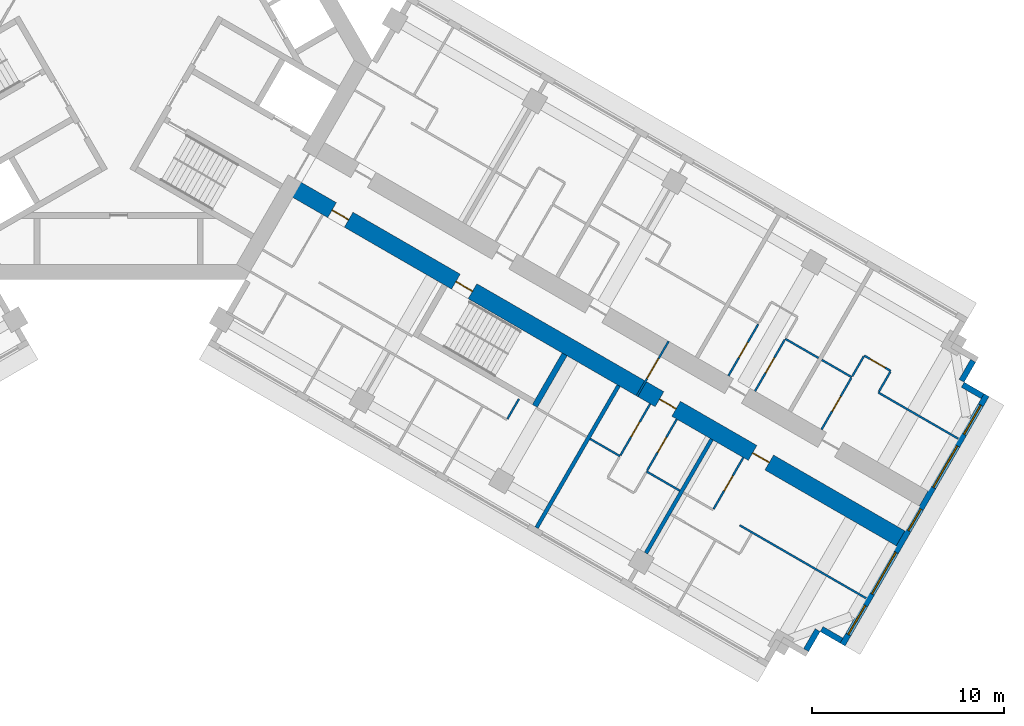
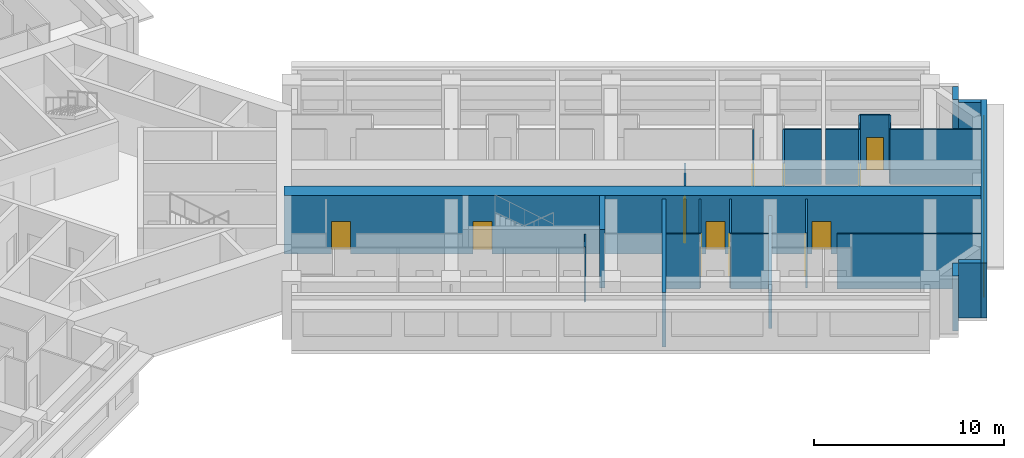
# One storey, part 11 of 16: 26 walls, 12 doors, 5 windows, 17 openings.
"""IFC4 building model written with IfcOpenShell, lengths in metres."""

import ifcopenshell
import ifcopenshell.guid

model = None  # the IFC model being written
_history = None  # IfcOwnerHistory: only IFC2X3 demands one
_inside = {}  # id of a spatial element -> (the spatial element, [elements in it])
_under = {}  # id of a project, library or spatial element -> (it, [spatial elements below it])
_declared = {}  # id of a project -> (the project, [libraries it declares])
_typed = {}  # id of a type object -> (the type object, [elements of that type])
_made_of = {}  # id of a material, layer set ... -> (it, [elements and type objects made of it])


def new_model(schema):
    """Start an empty IFC model of exactly this schema.

    Asked for "IFC4X3", IfcOpenShell would pick the latest addendum, in which some entities
    have other attributes; the version numbers below select the first issue.
    IFC2X3 requires an IfcOwnerHistory on every rooted entity: one is made here for all.
    """
    global model, _history
    if schema == "IFC4X3":
        model = ifcopenshell.file(schema_version=(4, 3, 0, 0))
    else:
        model = ifcopenshell.file(schema=schema)
    _inside.clear()
    _under.clear()
    _declared.clear()
    _typed.clear()
    _made_of.clear()
    _history = None
    if model.schema == "IFC2X3":
        org = make("IfcOrganization", Name="unknown")
        user = make(
            "IfcPersonAndOrganization",
            ThePerson=make("IfcPerson", FamilyName="unknown"),
            TheOrganization=org,
        )
        app = make(
            "IfcApplication",
            ApplicationDeveloper=org,
            Version="unknown",
            ApplicationFullName="unknown",
            ApplicationIdentifier="unknown",
        )
        _history = make(
            "IfcOwnerHistory",
            OwningUser=user,
            OwningApplication=app,
            ChangeAction="ADDED",
            CreationDate=0,
        )
    return model


def make(cls, **values):
    """One entity of the class cls with the attributes given. An attribute that is None is left unset."""
    return model.create_entity(
        cls, **{name: value for name, value in values.items() if value is not None}
    )


def rooted(cls, **values):
    """An entity with a GlobalId (a new one), such as an element, a storey or a relation."""
    return make(cls, GlobalId=ifcopenshell.guid.new(), OwnerHistory=_history, **values)


def si_unit(unit_type, name, prefix=None):
    """IfcSIUnit, for example si_unit("LENGTHUNIT", "METRE", prefix="MILLI")."""
    return make("IfcSIUnit", UnitType=unit_type, Prefix=prefix, Name=name)


def assignment(units):
    """IfcUnitAssignment: the units of a project."""
    return None if units is None else make("IfcUnitAssignment", Units=units)


def point(xyz):
    """IfcCartesianPoint."""
    return None if xyz is None else make("IfcCartesianPoint", Coordinates=xyz)


def direction(xyz):
    """IfcDirection."""
    return None if xyz is None else make("IfcDirection", DirectionRatios=xyz)


def frame(location, z_axis=None, x_axis=None):
    """IfcAxis2Placement3D, a coordinate frame: its origin and axes. An axis left out is left unset."""
    return make(
        "IfcAxis2Placement3D",
        Location=point(location),
        Axis=direction(z_axis),
        RefDirection=direction(x_axis),
    )


def frame_2d(location, x_axis=None):
    """IfcAxis2Placement2D, a coordinate frame in the plane: its origin and x axis."""
    return make(
        "IfcAxis2Placement2D", Location=point(location), RefDirection=direction(x_axis)
    )


def origin():
    """The frame at (0, 0, 0) with its axes left unset."""
    return frame((0.0, 0.0, 0.0))


def place(relative_to, where):
    """IfcLocalPlacement: puts the frame where relative to a parent placement (None: the world)."""
    return make(
        "IfcLocalPlacement", PlacementRelTo=relative_to, RelativePlacement=where
    )


def context(
    kind, dimensions, precision=None, world=None, true_north=None, identifier=None
):
    """IfcGeometricRepresentationContext, for example the 3D "Model" context."""
    return make(
        "IfcGeometricRepresentationContext",
        ContextIdentifier=identifier,
        ContextType=kind,
        CoordinateSpaceDimension=dimensions,
        Precision=precision,
        WorldCoordinateSystem=world,
        TrueNorth=true_north,
    )


def subcontext(parent, identifier, kind, view, scale=None):
    """IfcGeometricRepresentationSubContext, for example "Body" below "Model"."""
    return make(
        "IfcGeometricRepresentationSubContext",
        ContextIdentifier=identifier,
        ContextType=kind,
        ParentContext=parent,
        TargetScale=scale,
        TargetView=view,
    )


def project(units=None, contexts=None):
    """IfcProject with its units and contexts."""
    return rooted(
        "IfcProject",
        Name="project",
        RepresentationContexts=contexts,
        UnitsInContext=assignment(units),
    )


def spatial(cls, under=None, at=None, **own):
    """A site, building, storey or space (cls), placed at a placement, below another one or the project."""
    s = rooted(cls, ObjectPlacement=at, **own)
    if under is not None:
        _under.setdefault(under.id(), (under, []))[1].append(s)
    return s


def profile(cls, at=None, kind="AREA", **sizes):
    """A parametric profile (cls). Its sizes go by their IFC names, for example OverallWidth=200.0."""
    return make(cls, ProfileType=kind, Position=at, **sizes)


def rectangle(**sizes):
    """IfcRectangleProfileDef."""
    return profile("IfcRectangleProfileDef", **sizes)


def extrude(swept, where, along, depth):
    """IfcExtrudedAreaSolid: the profile swept, set in the frame where, extruded along a direction by depth."""
    return make(
        "IfcExtrudedAreaSolid",
        SweptArea=swept,
        Position=where,
        ExtrudedDirection=direction(along),
        Depth=depth,
    )


def shape(context_of_items, identifier, shape_type, items):
    """IfcShapeRepresentation: the items that make up one representation, for example the "Body"."""
    return make(
        "IfcShapeRepresentation",
        ContextOfItems=context_of_items,
        RepresentationIdentifier=identifier,
        RepresentationType=shape_type,
        Items=items,
    )


def material(Name=None, Category=None):
    """IfcMaterial."""
    return make("IfcMaterial", Name=Name, Category=Category)


def layer(
    of_material, thickness, ventilated=None, Name=None, Category=None, Priority=None
):
    """IfcMaterialLayer: one layer of a wall or slab, of a material (None: an air gap)."""
    return make(
        "IfcMaterialLayer",
        Material=of_material,
        LayerThickness=thickness,
        IsVentilated=ventilated,
        Name=Name,
        Category=Category,
        Priority=Priority,
    )


def layer_set(layers, Name=None):
    """IfcMaterialLayerSet."""
    return make("IfcMaterialLayerSet", MaterialLayers=layers, LayerSetName=Name)


def made_of(thing, what):
    """Note that an element or type object is made of a material, layer set ...; save() writes the relation."""
    if what is not None:
        _made_of.setdefault(what.id(), (what, []))[1].append(thing)
    return thing


def type_object(cls, material=None, **own):
    """A type object (cls), such as IfcWallType, which elements share."""
    return made_of(rooted(cls, **own), material)


def element(
    cls,
    number,
    at=None,
    inside=None,
    cuts=None,
    type_object=None,
    material=None,
    context=None,
    identifier="Body",
    shape_type=None,
    held_by="IfcProductDefinitionShape",
    body=None,
    shapes=None,
    **own,
):
    """One element of the class cls, such as IfcWall. Its Tag is "e" and its number.

    at: its placement. inside: the storey or other place that contains it. cuts: it is an
    opening in that element (IfcRelVoidsElement). A single representation is given by context,
    identifier, shape_type and body (its items); several are given by shapes. held_by: the class
    of the entity that holds the representations. save() writes the other relations.
    """
    e = rooted(cls, Tag="e%d" % number, ObjectPlacement=at, **own)
    if body is not None:
        shapes = [shape(context, identifier, shape_type, body)]
    if shapes is not None:
        e.Representation = make(held_by, Representations=shapes)
    if inside is not None:
        _inside.setdefault(inside.id(), (inside, []))[1].append(e)
    if cuts is not None:
        rooted(
            "IfcRelVoidsElement", RelatingBuildingElement=cuts, RelatedOpeningElement=e
        )
    if type_object is not None:
        _typed.setdefault(type_object.id(), (type_object, []))[1].append(e)
    return made_of(e, material)


def fill(opening, filler):
    """IfcRelFillsElement: the door or window that sits in an opening."""
    return rooted(
        "IfcRelFillsElement",
        RelatingOpeningElement=opening,
        RelatedBuildingElement=filler,
    )


def aggregate(whole, parts):
    """IfcRelAggregates: a whole, such as a stair, and the parts it consists of."""
    return rooted("IfcRelAggregates", RelatingObject=whole, RelatedObjects=parts)


def save(model, path):
    """Write the relations noted so far, then the file.

    IfcRelAggregates (storeys below a building ...), IfcRelContainedInSpatialStructure (elements
    in a storey), IfcRelDefinesByType, IfcRelAssociatesMaterial and IfcRelDeclares: one each for
    every whole, place, type object, material and project.
    """
    for whole, parts in _under.values():
        aggregate(whole, parts)
    for where, things in _inside.values():
        rooted(
            "IfcRelContainedInSpatialStructure",
            RelatedElements=things,
            RelatingStructure=where,
        )
    for kind, things in _typed.values():
        rooted("IfcRelDefinesByType", RelatedObjects=things, RelatingType=kind)
    for what, things in _made_of.values():
        rooted("IfcRelAssociatesMaterial", RelatedObjects=things, RelatingMaterial=what)
    for by, libraries in _declared.values():
        rooted("IfcRelDeclares", RelatingContext=by, RelatedDefinitions=libraries)
    model.write(path)


model = new_model("IFC4")

# Units and contexts
model_context = context("Model", 3, precision=1e-05, world=origin(), true_north=direction((0.0, 1.0)))
body_context = subcontext(model_context, "Body", "Model", "MODEL_VIEW")
ifc_project = project(units=[si_unit("LENGTHUNIT", "METRE"), si_unit("AREAUNIT", "SQUARE_METRE"), si_unit("VOLUMEUNIT", "CUBIC_METRE"), si_unit("PLANEANGLEUNIT", "RADIAN"), si_unit("MASSUNIT", "GRAM", prefix="KILO")], contexts=[model_context])

# Site, building, storey
site_placement = place(None, origin())
site = spatial("IfcSite", under=ifc_project, at=site_placement, CompositionType="ELEMENT")
building_placement = place(site_placement, origin())
building = spatial("IfcBuilding", under=site, at=building_placement, Name="Impinga Residences", CompositionType="ELEMENT")
storey_placement = place(building_placement, frame((0.0, 0.0, 106.0)))
storey = spatial("IfcBuildingStorey", under=building, at=storey_placement, Name="L25", CompositionType="ELEMENT", Elevation=106.0)

# Wall, openings, doors
ifc_material_1 = material(Name="Concrete C60/75", Category="concrete")
ifc_layer_1 = layer(ifc_material_1, 0.89990234375)
ifc_layer_set_1 = layer_set([ifc_layer_1], Name="Concrete C60/75")
wall_type_1 = type_object("IfcWallType", Name="BW2 corridor buttress wall, L24 to L44 900", PredefinedType="SHEAR", material=ifc_layer_set_1)
wall_1_placement = place(storey_placement, frame((8.95361328125, -6.554931640625, 0.0), z_axis=(0.0, 0.0, 1.0), x_axis=(0.866024733898, -0.500001160275, 0.0)))
wall_1 = element("IfcWall", 1, at=wall_1_placement, inside=storey, type_object=wall_type_1, Name="Corridor wall BW2 ED L25", PredefinedType="SHEAR", context=body_context, shape_type="SweptSolid", body=[
    extrude(rectangle(XDim=36.7001953125, YDim=0.89990234375, at=frame_2d((18.35009765625, 0.0))), origin(), (0.0, 0.0, 1.0), 3.75),
])
opening_1_placement = place(wall_1_placement, frame((9.949951171875, 0.0, 0.0)))
opening_1 = element("IfcOpeningElement", 2, at=opening_1_placement, cuts=wall_1, Name="Opening D5", PredefinedType="OPENING", context=body_context, shape_type="SweptSolid", body=[
    extrude(rectangle(XDim=1.0, YDim=2.10009765625, at=frame_2d((0.5, 1.050048828125))), frame((0.0, 0.4599609375, 0.0), z_axis=(0.0, -1.0, 0.0), x_axis=(1.0, 0.0, 0.0)), (0.0, 0.0, 1.0), 0.919921875),
])
opening_2_placement = place(wall_1_placement, frame((2.5, 0.0, 0.0)))
opening_2 = element("IfcOpeningElement", 3, at=opening_2_placement, cuts=wall_1, Name="Opening D1", PredefinedType="OPENING", context=body_context, shape_type="SweptSolid", body=[
    extrude(rectangle(XDim=1.0, YDim=2.10009765625, at=frame_2d((0.5, 1.050048828125))), frame((0.0, 0.4599609375, 0.0), z_axis=(0.0, -1.0, 0.0), x_axis=(1.0, 0.0, 0.0)), (0.0, 0.0, 1.0), 0.919921875),
])
opening_3_placement = place(wall_1_placement, frame((22.199951171875, 0.0, 0.0)))
opening_3 = element("IfcOpeningElement", 4, at=opening_3_placement, cuts=wall_1, Name="Opening D1", PredefinedType="OPENING", context=body_context, shape_type="SweptSolid", body=[
    extrude(rectangle(XDim=1.0, YDim=2.10009765625, at=frame_2d((0.5, 1.050048828125))), frame((0.0, 0.4599609375, 0.0), z_axis=(0.0, -1.0, 0.0), x_axis=(1.0, 0.0, 0.0)), (0.0, 0.0, 1.0), 0.919921875),
])
opening_4_placement = place(wall_1_placement, frame((27.800048828125, 0.0, 0.0)))
opening_4 = element("IfcOpeningElement", 5, at=opening_4_placement, cuts=wall_1, Name="Opening D1", PredefinedType="OPENING", context=body_context, shape_type="SweptSolid", body=[
    extrude(rectangle(XDim=1.0, YDim=2.10009765625, at=frame_2d((0.5, 1.050048828125))), frame((0.0, 0.4599609375, 0.0), z_axis=(0.0, -1.0, 0.0), x_axis=(1.0, 0.0, 0.0)), (0.0, 0.0, 1.0), 0.919921875),
])
ifc_material_2 = material(Name="Timber door set", Category="wood")
door_type_1 = type_object("IfcDoorType", Name="D1 apartment entrance door 1000x2100", OperationType="SINGLE_SWING_LEFT", PredefinedType="DOOR", material=ifc_material_2)
door_1_placement = place(opening_2_placement, origin())
door_1 = element("IfcDoor", 6, at=door_1_placement, inside=storey, type_object=door_type_1, Name="Apartment L25-EF1 entrance", OperationType="SINGLE_SWING_LEFT", OverallHeight=2.10009765625, OverallWidth=1.0, PredefinedType="DOOR", context=body_context, shape_type="SweptSolid", body=[
    extrude(rectangle(XDim=1.0, YDim=2.10009765625, at=frame_2d((0.5, 1.050048828125))), frame((0.0, 0.02490234375, 0.0), z_axis=(0.0, -1.0, 0.0), x_axis=(1.0, 0.0, 0.0)), (0.0, 0.0, 1.0), 0.050048828125),
])
fill(opening_2, door_1)
door_2_placement = place(opening_3_placement, origin())
door_2 = element("IfcDoor", 7, at=door_2_placement, inside=storey, type_object=door_type_1, Name="Apartment L25-EF2 entrance", OperationType="SINGLE_SWING_RIGHT", OverallHeight=2.10009765625, OverallWidth=1.0, PredefinedType="DOOR", context=body_context, shape_type="SweptSolid", body=[
    extrude(rectangle(XDim=1.0, YDim=2.10009765625, at=frame_2d((0.5, 1.050048828125))), frame((0.0, 0.02490234375, 0.0), z_axis=(0.0, -1.0, 0.0), x_axis=(1.0, 0.0, 0.0)), (0.0, 0.0, 1.0), 0.050048828125),
])
fill(opening_3, door_2)
door_3_placement = place(opening_4_placement, origin())
door_3 = element("IfcDoor", 8, at=door_3_placement, inside=storey, type_object=door_type_1, Name="Apartment L25-EF3 entrance", OperationType="SINGLE_SWING_RIGHT", OverallHeight=2.10009765625, OverallWidth=1.0, PredefinedType="DOOR", context=body_context, shape_type="SweptSolid", body=[
    extrude(rectangle(XDim=1.0, YDim=2.10009765625, at=frame_2d((0.5, 1.050048828125))), frame((0.0, 0.02490234375, 0.0), z_axis=(0.0, -1.0, 0.0), x_axis=(1.0, 0.0, 0.0)), (0.0, 0.0, 1.0), 0.050048828125),
])
fill(opening_4, door_3)
door_type_2 = type_object("IfcDoorType", Name="D5 stair door 1000x2100", OperationType="SINGLE_SWING_LEFT", PredefinedType="DOOR", material=ifc_material_2)
door_4_placement = place(opening_1_placement, origin())
door_4 = element("IfcDoor", 9, at=door_4_placement, inside=storey, type_object=door_type_2, Name="Wing stair door E", OperationType="SINGLE_SWING_LEFT", OverallHeight=2.10009765625, OverallWidth=1.0, PredefinedType="DOOR", context=body_context, shape_type="SweptSolid", body=[
    extrude(rectangle(XDim=1.0, YDim=2.10009765625, at=frame_2d((0.5, 1.050048828125))), frame((0.0, 0.02490234375, 0.0), z_axis=(0.0, -1.0, 0.0), x_axis=(1.0, 0.0, 0.0)), (0.0, 0.0, 1.0), 0.050048828125),
])
fill(opening_1, door_4)

# Wall, opening, door
ifc_material_3 = material(Name="Concrete blockwork", Category="masonry")
ifc_layer_2 = layer(ifc_material_3, 0.10009765625)
ifc_layer_set_2 = layer_set([ifc_layer_2], Name="CP1 core room partition, blockwork 100")
wall_type_2 = type_object("IfcWallType", Name="CP1 core room partition, blockwork 100", PredefinedType="PARTITIONING", material=ifc_layer_set_2)
wall_2_placement = place(storey_placement, frame((28.652099609375, -14.636962890625, 0.0), z_axis=(0.0, 0.0, 1.0), x_axis=(-0.499974350878, -0.866040211805, 0.0)))
wall_2 = element("IfcWall", 10, at=wall_2_placement, inside=storey, type_object=wall_type_2, Name="Core room partition, blockwork L25:E:SCR", PredefinedType="PARTITIONING", context=body_context, shape_type="SweptSolid", body=[
    extrude(rectangle(XDim=3.300048828125, YDim=0.10009765625, at=frame_2d((1.64990234375, 0.0))), origin(), (0.0, 0.0, 1.0), 3.530029296875),
])
opening_5_placement = place(wall_2_placement, frame((1.050048828125, 0.0, 0.0)))
opening_5 = element("IfcOpeningElement", 11, at=opening_5_placement, cuts=wall_2, Name="Opening D3", PredefinedType="OPENING", context=body_context, shape_type="SweptSolid", body=[
    extrude(rectangle(XDim=1.199951171875, YDim=2.10009765625, at=frame_2d((0.60009765625, 1.050048828125))), frame((0.0, 0.06005859375, 0.0), z_axis=(0.0, -1.0, 0.0), x_axis=(1.0, 0.0, 0.0)), (0.0, 0.0, 1.0), 0.1201171875),
])
door_type_3 = type_object("IfcDoorType", Name="D3 room door, leaf and a half 1200x2100", OperationType="DOUBLE_SWING_LEFT", PredefinedType="DOOR", material=ifc_material_2)
door_5_placement = place(opening_5_placement, origin())
door_5 = element("IfcDoor", 12, at=door_5_placement, inside=storey, type_object=door_type_3, Name="Corridor smoke door E", OperationType="DOUBLE_SWING_LEFT", OverallHeight=2.10009765625, OverallWidth=1.199951171875, PredefinedType="DOOR", context=body_context, shape_type="SweptSolid", body=[
    extrude(rectangle(XDim=1.199951171875, YDim=2.10009765625, at=frame_2d((0.60009765625, 1.050048828125))), frame((0.0, 0.02490234375, 0.0), z_axis=(0.0, -1.0, 0.0), x_axis=(1.0, 0.0, 0.0)), (0.0, 0.0, 1.0), 0.050048828125),
])
fill(opening_5, door_5)

# Walls
ifc_material_4 = material(Name="Terracotta rainscreen on blockwork", Category="masonry")
ifc_layer_3 = layer(ifc_material_4, 0.300048828125)
ifc_layer_set_3 = layer_set([ifc_layer_3], Name="EW1 external wall, terracotta rainscreen on blockwork 300")
wall_type_3 = type_object("IfcWallType", Name="EW1 external wall, terracotta rainscreen on blockwork 300", PredefinedType="SOLIDWALL", material=ifc_layer_set_3)
wall_3_placement = place(storey_placement, frame((44.517578125, -15.65625, 0.0), z_axis=(0.0, 0.0, 1.0), x_axis=(-0.500033551112, -0.866006032174, 0.0)))
element("IfcWall", 13, at=wall_3_placement, inside=storey, type_object=wall_type_3, Name="External wall EW1 L25", PredefinedType="SOLIDWALL", context=body_context, shape_type="SweptSolid", body=[
    extrude(rectangle(XDim=1.2001953125, YDim=0.300048828125, at=frame_2d((0.60009765625, 0.0))), origin(), (0.0, 0.0, 1.0), 3.530029296875),
])
wall_4_placement = place(storey_placement, frame((43.976806640625, -16.903076171875, 0.0), z_axis=(0.0, 0.0, 1.0), x_axis=(0.866059708757, -0.499940577336, 0.0)))
element("IfcWall", 14, at=wall_4_placement, inside=storey, type_object=wall_type_3, Name="External wall EW1 L25", PredefinedType="SOLIDWALL", context=body_context, shape_type="SweptSolid", body=[
    extrude(rectangle(XDim=1.195068359375, YDim=0.300048828125, at=frame_2d((0.59765625, 0.0))), origin(), (0.0, 0.0, 1.0), 3.530029296875),
])

# Wall, openings, windows
wall_5_placement = place(storey_placement, frame((45.216552734375, -17.445556640625, 0.0), z_axis=(0.0, 0.0, 1.0), x_axis=(-0.499997186618, -0.866027028085, 0.0)))
wall_5 = element("IfcWall", 15, at=wall_5_placement, inside=storey, type_object=wall_type_3, Name="External wall EW1 L25", PredefinedType="SOLIDWALL", context=body_context, shape_type="SweptSolid", body=[
    extrude(rectangle(XDim=15.0, YDim=0.300048828125, at=frame_2d((7.5, 0.0))), origin(), (0.0, 0.0, 1.0), 3.530029296875),
])
opening_6_placement = place(wall_5_placement, frame((0.60009765625, 0.0, 0.89990234375)))
opening_6 = element("IfcOpeningElement", 16, at=opening_6_placement, cuts=wall_5, Name="Opening W1", PredefinedType="OPENING", context=body_context, shape_type="SweptSolid", body=[
    extrude(rectangle(XDim=1.75, YDim=2.050048828125, at=frame_2d((0.875, 1.02490234375))), frame((0.0, 0.159912109375, 0.0), z_axis=(0.0, -1.0, 0.0), x_axis=(1.0, 0.0, 0.0)), (0.0, 0.0, 1.0), 0.320068359375),
])
opening_7_placement = place(wall_5_placement, frame((3.050048828125, 0.0, 0.89990234375)))
opening_7 = element("IfcOpeningElement", 17, at=opening_7_placement, cuts=wall_5, Name="Opening W2", PredefinedType="OPENING", context=body_context, shape_type="SweptSolid", body=[
    extrude(rectangle(XDim=2.5, YDim=2.050048828125, at=frame_2d((1.25, 1.02490234375))), frame((0.0, 0.159912109375, 0.0), z_axis=(0.0, -1.0, 0.0), x_axis=(1.0, 0.0, 0.0)), (0.0, 0.0, 1.0), 0.320068359375),
])
opening_8_placement = place(wall_5_placement, frame((6.85009765625, 0.0, 0.89990234375)))
opening_8 = element("IfcOpeningElement", 18, at=opening_8_placement, cuts=wall_5, Name="Opening WE1", PredefinedType="OPENING", context=body_context, shape_type="SweptSolid", body=[
    extrude(rectangle(XDim=1.300048828125, YDim=2.050048828125, at=frame_2d((0.64990234375, 1.02490234375))), frame((0.0, 0.159912109375, 0.0), z_axis=(0.0, -1.0, 0.0), x_axis=(1.0, 0.0, 0.0)), (0.0, 0.0, 1.0), 0.320068359375),
])
opening_9_placement = place(wall_5_placement, frame((9.449951171875, 0.0, 0.89990234375)))
opening_9 = element("IfcOpeningElement", 19, at=opening_9_placement, cuts=wall_5, Name="Opening W2", PredefinedType="OPENING", context=body_context, shape_type="SweptSolid", body=[
    extrude(rectangle(XDim=2.5, YDim=2.050048828125, at=frame_2d((1.25, 1.02490234375))), frame((0.0, 0.159912109375, 0.0), z_axis=(0.0, -1.0, 0.0), x_axis=(1.0, 0.0, 0.0)), (0.0, 0.0, 1.0), 0.320068359375),
])
opening_10_placement = place(wall_5_placement, frame((12.64990234375, 0.0, 0.89990234375)))
opening_10 = element("IfcOpeningElement", 20, at=opening_10_placement, cuts=wall_5, Name="Opening W1", PredefinedType="OPENING", context=body_context, shape_type="SweptSolid", body=[
    extrude(rectangle(XDim=1.75, YDim=2.050048828125, at=frame_2d((0.875, 1.02490234375))), frame((0.0, 0.159912109375, 0.0), z_axis=(0.0, -1.0, 0.0), x_axis=(1.0, 0.0, 0.0)), (0.0, 0.0, 1.0), 0.320068359375),
])
ifc_material_5 = material(Name="Aluminium window, clear double glazing", Category="aluminium")
window_type_1 = type_object("IfcWindowType", Name="W1 ribbon window 1750x2050", PartitioningType="SINGLE_PANEL", PredefinedType="WINDOW", material=ifc_material_5)
window_1_placement = place(opening_6_placement, origin())
window_1 = element("IfcWindow", 21, at=window_1_placement, inside=storey, type_object=window_type_1, Name="Window L25", OverallHeight=2.050048828125, OverallWidth=1.75, PartitioningType="SINGLE_PANEL", PredefinedType="WINDOW", context=body_context, shape_type="SweptSolid", body=[
    extrude(rectangle(XDim=1.75, YDim=2.050048828125, at=frame_2d((0.875, 1.02490234375))), frame((0.0, 0.030029296875, 0.0), z_axis=(0.0, -1.0, 0.0), x_axis=(1.0, 0.0, 0.0)), (0.0, 0.0, 1.0), 0.06005859375),
])
fill(opening_6, window_1)
window_2_placement = place(opening_10_placement, origin())
window_2 = element("IfcWindow", 22, at=window_2_placement, inside=storey, type_object=window_type_1, Name="Window L25", OverallHeight=2.050048828125, OverallWidth=1.75, PartitioningType="SINGLE_PANEL", PredefinedType="WINDOW", context=body_context, shape_type="SweptSolid", body=[
    extrude(rectangle(XDim=1.75, YDim=2.050048828125, at=frame_2d((0.875, 1.02490234375))), frame((0.0, 0.030029296875, 0.0), z_axis=(0.0, -1.0, 0.0), x_axis=(1.0, 0.0, 0.0)), (0.0, 0.0, 1.0), 0.06005859375),
])
fill(opening_10, window_2)
window_type_2 = type_object("IfcWindowType", Name="W2 ribbon window 2500x2050", PartitioningType="SINGLE_PANEL", PredefinedType="WINDOW", material=ifc_material_5)
window_3_placement = place(opening_7_placement, origin())
window_3 = element("IfcWindow", 23, at=window_3_placement, inside=storey, type_object=window_type_2, Name="Window L25", OverallHeight=2.050048828125, OverallWidth=2.5, PartitioningType="SINGLE_PANEL", PredefinedType="WINDOW", context=body_context, shape_type="SweptSolid", body=[
    extrude(rectangle(XDim=2.5, YDim=2.050048828125, at=frame_2d((1.25, 1.02490234375))), frame((0.0, 0.030029296875, 0.0), z_axis=(0.0, -1.0, 0.0), x_axis=(1.0, 0.0, 0.0)), (0.0, 0.0, 1.0), 0.06005859375),
])
fill(opening_7, window_3)
window_4_placement = place(opening_9_placement, origin())
window_4 = element("IfcWindow", 24, at=window_4_placement, inside=storey, type_object=window_type_2, Name="Window L25", OverallHeight=2.050048828125, OverallWidth=2.5, PartitioningType="SINGLE_PANEL", PredefinedType="WINDOW", context=body_context, shape_type="SweptSolid", body=[
    extrude(rectangle(XDim=2.5, YDim=2.050048828125, at=frame_2d((1.25, 1.02490234375))), frame((0.0, 0.030029296875, 0.0), z_axis=(0.0, -1.0, 0.0), x_axis=(1.0, 0.0, 0.0)), (0.0, 0.0, 1.0), 0.06005859375),
])
fill(opening_9, window_4)
window_type_3 = type_object("IfcWindowType", Name="WE1 corridor window 1300x2050", PartitioningType="SINGLE_PANEL", PredefinedType="WINDOW", material=ifc_material_5)
window_5_placement = place(opening_8_placement, origin())
window_5 = element("IfcWindow", 25, at=window_5_placement, inside=storey, type_object=window_type_3, Name="Window L25", OverallHeight=2.050048828125, OverallWidth=1.300048828125, PartitioningType="SINGLE_PANEL", PredefinedType="WINDOW", context=body_context, shape_type="SweptSolid", body=[
    extrude(rectangle(XDim=1.300048828125, YDim=2.050048828125, at=frame_2d((0.64990234375, 1.02490234375))), frame((0.0, 0.030029296875, 0.0), z_axis=(0.0, -1.0, 0.0), x_axis=(1.0, 0.0, 0.0)), (0.0, 0.0, 1.0), 0.06005859375),
])
fill(opening_8, window_5)

# Walls
wall_6_placement = place(storey_placement, frame((37.66162109375, -30.23095703125, 0.0), z_axis=(0.0, 0.0, 1.0), x_axis=(-0.866059708757, 0.499940577336, 0.0)))
element("IfcWall", 26, at=wall_6_placement, inside=storey, type_object=wall_type_3, Name="External wall EW1 L25", PredefinedType="SOLIDWALL", context=body_context, shape_type="SweptSolid", body=[
    extrude(rectangle(XDim=1.195068359375, YDim=0.300048828125, at=frame_2d((0.59765625, 0.0))), origin(), (0.0, 0.0, 1.0), 3.530029296875),
])
wall_7_placement = place(storey_placement, frame((36.41748046875, -29.68603515625, 0.0), z_axis=(0.0, 0.0, 1.0), x_axis=(-0.499969057507, -0.866043267704, 0.0)))
element("IfcWall", 27, at=wall_7_placement, inside=storey, type_object=wall_type_3, Name="External wall EW1 L25", PredefinedType="SOLIDWALL", context=body_context, shape_type="SweptSolid", body=[
    extrude(rectangle(XDim=1.19970703125, YDim=0.300048828125, at=frame_2d((0.599853515625, 0.0))), origin(), (0.0, 0.0, 1.0), 3.530029296875),
])
ifc_material_6 = material(Name="Gypsum board on steel studs", Category="steel")
ifc_layer_4 = layer(ifc_material_6, 0.10009765625)
ifc_layer_set_4 = layer_set([ifc_layer_4], Name="Gypsum board on steel studs")
wall_type_4 = type_object("IfcWallType", Name="IP1 partition 100", PredefinedType="PARTITIONING", material=ifc_layer_set_4)
wall_8_placement = place(storey_placement, frame((34.72998046875, -14.5087890625, 0.0), z_axis=(0.0, 0.0, 1.0), x_axis=(0.866041268327, -0.499972520799, 0.0)))
element("IfcWall", 28, at=wall_8_placement, inside=storey, type_object=wall_type_4, Name="Partition L25-EA4:DIV1", PredefinedType="PARTITIONING", context=body_context, shape_type="SweptSolid", body=[
    extrude(rectangle(XDim=2.0, YDim=0.10009765625, at=frame_2d((1.0, 0.0))), origin(), (0.0, 0.0, 1.0), 3.530029296875),
])

# Wall, opening, door
wall_9_placement = place(storey_placement, frame((31.76953125, -16.436767578125, 0.0), z_axis=(0.0, 0.0, 1.0), x_axis=(0.499967891604, 0.866043940782, 0.0)))
wall_9 = element("IfcWall", 29, at=wall_9_placement, inside=storey, type_object=wall_type_4, Name="Partition L25-EA4:IB1", PredefinedType="PARTITIONING", context=body_context, shape_type="SweptSolid", body=[
    extrude(rectangle(XDim=3.099853515625, YDim=0.10009765625, at=frame_2d((1.5498046875, 0.0))), origin(), (0.0, 0.0, 1.0), 3.530029296875),
])
opening_11_placement = place(wall_9_placement, frame((1.10009765625, 0.0, 0.0)))
opening_11 = element("IfcOpeningElement", 30, at=opening_11_placement, cuts=wall_9, Name="Opening D2", PredefinedType="OPENING", context=body_context, shape_type="SweptSolid", body=[
    extrude(rectangle(XDim=0.89990234375, YDim=2.10009765625, at=frame_2d((0.449951171875, 1.050048828125))), frame((0.0, 0.06005859375, 0.0), z_axis=(0.0, -1.0, 0.0), x_axis=(1.0, 0.0, 0.0)), (0.0, 0.0, 1.0), 0.1201171875),
])
door_type_4 = type_object("IfcDoorType", Name="D2 internal door 900x2100", OperationType="SINGLE_SWING_LEFT", PredefinedType="DOOR", material=ifc_material_2)
door_6_placement = place(opening_11_placement, origin())
door_6 = element("IfcDoor", 31, at=door_6_placement, inside=storey, type_object=door_type_4, Name="Apartment L25-EA4 bathroom door", OperationType="SINGLE_SWING_LEFT", OverallHeight=2.10009765625, OverallWidth=0.89990234375, PredefinedType="DOOR", context=body_context, shape_type="SweptSolid", body=[
    extrude(rectangle(XDim=0.89990234375, YDim=2.10009765625, at=frame_2d((0.449951171875, 1.050048828125))), frame((0.0, 0.02490234375, 0.0), z_axis=(0.0, -1.0, 0.0), x_axis=(1.0, 0.0, 0.0)), (0.0, 0.0, 1.0), 0.050048828125),
])
fill(opening_11, door_6)

wall_10_placement = place(storey_placement, frame((33.155029296875, -17.23681640625, 0.0), z_axis=(0.0, 0.0, 1.0), x_axis=(0.500026960575, 0.86600983753, 0.0)))
wall_10 = element("IfcWall", 32, at=wall_10_placement, inside=storey, type_object=wall_type_4, Name="Partition L25-EA4:IB2", PredefinedType="PARTITIONING", context=body_context, shape_type="SweptSolid", body=[
    extrude(rectangle(XDim=3.099853515625, YDim=0.10009765625, at=frame_2d((1.5498046875, 0.0))), origin(), (0.0, 0.0, 1.0), 3.530029296875),
])
opening_12_placement = place(wall_10_placement, frame((1.10009765625, 0.0, 0.0)))
opening_12 = element("IfcOpeningElement", 33, at=opening_12_placement, cuts=wall_10, Name="Opening D2", PredefinedType="OPENING", context=body_context, shape_type="SweptSolid", body=[
    extrude(rectangle(XDim=0.89990234375, YDim=2.10009765625, at=frame_2d((0.449951171875, 1.050048828125))), frame((0.0, 0.06005859375, 0.0), z_axis=(0.0, -1.0, 0.0), x_axis=(1.0, 0.0, 0.0)), (0.0, 0.0, 1.0), 0.1201171875),
])
door_7_placement = place(opening_12_placement, origin())
door_7 = element("IfcDoor", 34, at=door_7_placement, inside=storey, type_object=door_type_4, Name="Apartment L25-EA4 WC door", OperationType="SINGLE_SWING_LEFT", OverallHeight=2.10009765625, OverallWidth=0.89990234375, PredefinedType="DOOR", context=body_context, shape_type="SweptSolid", body=[
    extrude(rectangle(XDim=0.89990234375, YDim=2.10009765625, at=frame_2d((0.449951171875, 1.050048828125))), frame((0.0, 0.02490234375, 0.0), z_axis=(0.0, -1.0, 0.0), x_axis=(1.0, 0.0, 0.0)), (0.0, 0.0, 1.0), 0.050048828125),
])
fill(opening_12, door_7)

# Walls
wall_11_placement = place(storey_placement, frame((36.63525390625, -15.60888671875, 0.0), z_axis=(0.0, 0.0, 1.0), x_axis=(0.866047807691, -0.499961193289, 0.0)))
element("IfcWall", 35, at=wall_11_placement, inside=storey, type_object=wall_type_4, Name="Partition L25-EA5:DIV0", PredefinedType="PARTITIONING", context=body_context, shape_type="SweptSolid", body=[
    extrude(rectangle(XDim=1.800048828125, YDim=0.10009765625, at=frame_2d((0.89990234375, 0.0))), origin(), (0.0, 0.0, 1.0), 3.530029296875),
])
wall_12_placement = place(storey_placement, frame((39.579833984375, -17.308837890625, 0.0), z_axis=(0.0, 0.0, 1.0), x_axis=(0.866037363387, -0.499979284789, 0.0)))
element("IfcWall", 36, at=wall_12_placement, inside=storey, type_object=wall_type_4, Name="Partition L25-EA5:DIV1", PredefinedType="PARTITIONING", context=body_context, shape_type="SweptSolid", body=[
    extrude(rectangle(XDim=4.800048828125, YDim=0.10009765625, at=frame_2d((2.39990234375, 0.0))), origin(), (0.0, 0.0, 1.0), 3.530029296875),
])

# Wall, opening, door
wall_13_placement = place(storey_placement, frame((38.84423828125, -15.383056640625, 0.0), z_axis=(0.0, 0.0, 1.0), x_axis=(0.865989903783, -0.500061482766, 0.0)))
wall_13 = element("IfcWall", 37, at=wall_13_placement, inside=storey, type_object=wall_type_4, Name="Partition L25-EA5:STRIP", PredefinedType="PARTITIONING", context=body_context, shape_type="SweptSolid", body=[
    extrude(rectangle(XDim=1.599853515625, YDim=0.10009765625, at=frame_2d((0.7998046875, 0.0))), origin(), (0.0, 0.0, 1.0), 3.530029296875),
])
opening_13_placement = place(wall_13_placement, frame((0.35009765625, 0.0, 0.0)))
opening_13 = element("IfcOpeningElement", 38, at=opening_13_placement, cuts=wall_13, Name="Opening D2", PredefinedType="OPENING", context=body_context, shape_type="SweptSolid", body=[
    extrude(rectangle(XDim=0.89990234375, YDim=2.10009765625, at=frame_2d((0.449951171875, 1.050048828125))), frame((0.0, 0.06005859375, 0.0), z_axis=(0.0, -1.0, 0.0), x_axis=(1.0, 0.0, 0.0)), (0.0, 0.0, 1.0), 0.1201171875),
])
door_8_placement = place(opening_13_placement, origin())
door_8 = element("IfcDoor", 39, at=door_8_placement, inside=storey, type_object=door_type_4, Name="Apartment L25-EA5 room door", OperationType="SINGLE_SWING_LEFT", OverallHeight=2.10009765625, OverallWidth=0.89990234375, PredefinedType="DOOR", context=body_context, shape_type="SweptSolid", body=[
    extrude(rectangle(XDim=0.89990234375, YDim=2.10009765625, at=frame_2d((0.449951171875, 1.050048828125))), frame((0.0, 0.02490234375, 0.0), z_axis=(0.0, -1.0, 0.0), x_axis=(1.0, 0.0, 0.0)), (0.0, 0.0, 1.0), 0.050048828125),
])
fill(opening_13, door_8)

# Walls
wall_14_placement = place(storey_placement, frame((38.21923828125, -16.465576171875, 0.0), z_axis=(0.0, 0.0, 1.0), x_axis=(0.499880961361, 0.866094119867, 0.0)))
element("IfcWall", 40, at=wall_14_placement, inside=storey, type_object=wall_type_4, Name="Partition L25-EA5:SE0", PredefinedType="PARTITIONING", context=body_context, shape_type="SweptSolid", body=[
    extrude(rectangle(XDim=1.199951171875, YDim=0.10009765625, at=frame_2d((0.60009765625, 0.0))), origin(), (0.0, 0.0, 1.0), 3.530029296875),
])
wall_15_placement = place(storey_placement, frame((39.604736328125, -17.265625, 0.0), z_axis=(0.0, 0.0, 1.0), x_axis=(0.500033551112, 0.866006032174, 0.0)))
element("IfcWall", 41, at=wall_15_placement, inside=storey, type_object=wall_type_4, Name="Partition L25-EA5:SE1", PredefinedType="PARTITIONING", context=body_context, shape_type="SweptSolid", body=[
    extrude(rectangle(XDim=1.2001953125, YDim=0.10009765625, at=frame_2d((0.60009765625, 0.0))), origin(), (0.0, 0.0, 1.0), 3.530029296875),
])

# Wall, opening, door
wall_16_placement = place(storey_placement, frame((36.619140625, -19.23681640625, 0.0), z_axis=(0.0, 0.0, 1.0), x_axis=(0.500026960575, 0.86600983753, 0.0)))
wall_16 = element("IfcWall", 42, at=wall_16_placement, inside=storey, type_object=wall_type_4, Name="Partition L25-EA5:IB1", PredefinedType="PARTITIONING", context=body_context, shape_type="SweptSolid", body=[
    extrude(rectangle(XDim=3.099853515625, YDim=0.10009765625, at=frame_2d((1.5498046875, 0.0))), origin(), (0.0, 0.0, 1.0), 3.530029296875),
])
opening_14_placement = place(wall_16_placement, frame((1.10009765625, 0.0, 0.0)))
opening_14 = element("IfcOpeningElement", 43, at=opening_14_placement, cuts=wall_16, Name="Opening D2", PredefinedType="OPENING", context=body_context, shape_type="SweptSolid", body=[
    extrude(rectangle(XDim=0.89990234375, YDim=2.10009765625, at=frame_2d((0.449951171875, 1.050048828125))), frame((0.0, 0.06005859375, 0.0), z_axis=(0.0, -1.0, 0.0), x_axis=(1.0, 0.0, 0.0)), (0.0, 0.0, 1.0), 0.1201171875),
])
door_9_placement = place(opening_14_placement, origin())
door_9 = element("IfcDoor", 44, at=door_9_placement, inside=storey, type_object=door_type_4, Name="Apartment L25-EA5 bathroom door", OperationType="SINGLE_SWING_LEFT", OverallHeight=2.10009765625, OverallWidth=0.89990234375, PredefinedType="DOOR", context=body_context, shape_type="SweptSolid", body=[
    extrude(rectangle(XDim=0.89990234375, YDim=2.10009765625, at=frame_2d((0.449951171875, 1.050048828125))), frame((0.0, 0.02490234375, 0.0), z_axis=(0.0, -1.0, 0.0), x_axis=(1.0, 0.0, 0.0)), (0.0, 0.0, 1.0), 0.050048828125),
])
fill(opening_14, door_9)

# Walls
wall_17_placement = place(storey_placement, frame((20.85498046875, -17.640869140625, 0.0), z_axis=(0.0, 0.0, 1.0), x_axis=(-0.499880961361, -0.866094119867, 0.0)))
element("IfcWall", 45, at=wall_17_placement, inside=storey, type_object=wall_type_4, Name="Partition L25-EF1:SE1", PredefinedType="PARTITIONING", context=body_context, shape_type="SweptSolid", body=[
    extrude(rectangle(XDim=1.199951171875, YDim=0.10009765625, at=frame_2d((0.60009765625, 0.0))), origin(), (0.0, 0.0, 1.0), 3.530029296875),
])
wall_18_placement = place(storey_placement, frame((24.560791015625, -19.72265625, 0.0), z_axis=(0.0, 0.0, 1.0), x_axis=(0.865989075817, -0.500062916607, 0.0)))
element("IfcWall", 46, at=wall_18_placement, inside=storey, type_object=wall_type_4, Name="Partition L25-EF2:DIV0", PredefinedType="PARTITIONING", context=body_context, shape_type="SweptSolid", body=[
    extrude(rectangle(XDim=1.800048828125, YDim=0.10009765625, at=frame_2d((0.89990234375, 0.0))), origin(), (0.0, 0.0, 1.0), 3.530029296875),
])
wall_19_placement = place(storey_placement, frame((27.505126953125, -21.422607421875, 0.0), z_axis=(0.0, 0.0, 1.0), x_axis=(0.866041268327, -0.499972520799, 0.0)))
element("IfcWall", 47, at=wall_19_placement, inside=storey, type_object=wall_type_4, Name="Partition L25-EF2:DIV1", PredefinedType="PARTITIONING", context=body_context, shape_type="SweptSolid", body=[
    extrude(rectangle(XDim=2.0, YDim=0.10009765625, at=frame_2d((1.0, 0.0))), origin(), (0.0, 0.0, 1.0), 3.530029296875),
])

# Wall, opening, door
wall_20_placement = place(storey_placement, frame((27.694580078125, -17.894775390625, 0.0), z_axis=(0.0, 0.0, 1.0), x_axis=(-0.500026960575, -0.86600983753, 0.0)))
wall_20 = element("IfcWall", 48, at=wall_20_placement, inside=storey, type_object=wall_type_4, Name="Partition L25-EF2:IB1", PredefinedType="PARTITIONING", context=body_context, shape_type="SweptSolid", body=[
    extrude(rectangle(XDim=3.099853515625, YDim=0.10009765625, at=frame_2d((1.5498046875, 0.0))), origin(), (0.0, 0.0, 1.0), 3.530029296875),
])
opening_15_placement = place(wall_20_placement, frame((1.10009765625, 0.0, 0.0)))
opening_15 = element("IfcOpeningElement", 49, at=opening_15_placement, cuts=wall_20, Name="Opening D2", PredefinedType="OPENING", context=body_context, shape_type="SweptSolid", body=[
    extrude(rectangle(XDim=0.89990234375, YDim=2.10009765625, at=frame_2d((0.449951171875, 1.050048828125))), frame((0.0, 0.06005859375, 0.0), z_axis=(0.0, -1.0, 0.0), x_axis=(1.0, 0.0, 0.0)), (0.0, 0.0, 1.0), 0.1201171875),
])
door_10_placement = place(opening_15_placement, origin())
door_10 = element("IfcDoor", 50, at=door_10_placement, inside=storey, type_object=door_type_4, Name="Apartment L25-EF2 bathroom door", OperationType="SINGLE_SWING_LEFT", OverallHeight=2.10009765625, OverallWidth=0.89990234375, PredefinedType="DOOR", context=body_context, shape_type="SweptSolid", body=[
    extrude(rectangle(XDim=0.89990234375, YDim=2.10009765625, at=frame_2d((0.449951171875, 1.050048828125))), frame((0.0, 0.02490234375, 0.0), z_axis=(0.0, -1.0, 0.0), x_axis=(1.0, 0.0, 0.0)), (0.0, 0.0, 1.0), 0.050048828125),
])
fill(opening_15, door_10)

wall_21_placement = place(storey_placement, frame((29.080078125, -18.69482421875, 0.0), z_axis=(0.0, 0.0, 1.0), x_axis=(-0.499967891604, -0.866043940782, 0.0)))
wall_21 = element("IfcWall", 51, at=wall_21_placement, inside=storey, type_object=wall_type_4, Name="Partition L25-EF2:IB2", PredefinedType="PARTITIONING", context=body_context, shape_type="SweptSolid", body=[
    extrude(rectangle(XDim=3.099853515625, YDim=0.10009765625, at=frame_2d((1.5498046875, 0.0))), origin(), (0.0, 0.0, 1.0), 3.530029296875),
])
opening_16_placement = place(wall_21_placement, frame((1.10009765625, 0.0, 0.0)))
opening_16 = element("IfcOpeningElement", 52, at=opening_16_placement, cuts=wall_21, Name="Opening D2", PredefinedType="OPENING", context=body_context, shape_type="SweptSolid", body=[
    extrude(rectangle(XDim=0.89990234375, YDim=2.10009765625, at=frame_2d((0.449951171875, 1.050048828125))), frame((0.0, 0.06005859375, 0.0), z_axis=(0.0, -1.0, 0.0), x_axis=(1.0, 0.0, 0.0)), (0.0, 0.0, 1.0), 0.1201171875),
])
door_11_placement = place(opening_16_placement, origin())
door_11 = element("IfcDoor", 53, at=door_11_placement, inside=storey, type_object=door_type_4, Name="Apartment L25-EF2 WC door", OperationType="SINGLE_SWING_LEFT", OverallHeight=2.10009765625, OverallWidth=0.89990234375, PredefinedType="DOOR", context=body_context, shape_type="SweptSolid", body=[
    extrude(rectangle(XDim=0.89990234375, YDim=2.10009765625, at=frame_2d((0.449951171875, 1.050048828125))), frame((0.0, 0.02490234375, 0.0), z_axis=(0.0, -1.0, 0.0), x_axis=(1.0, 0.0, 0.0)), (0.0, 0.0, 1.0), 0.050048828125),
])
fill(opening_16, door_11)

# Wall
wall_22_placement = place(storey_placement, frame((32.35498046875, -24.22265625, 0.0), z_axis=(0.0, 0.0, 1.0), x_axis=(0.866022425744, -0.500005158081, 0.0)))
element("IfcWall", 54, at=wall_22_placement, inside=storey, type_object=wall_type_4, Name="Partition L25-EF3:DIV1", PredefinedType="PARTITIONING", context=body_context, shape_type="SweptSolid", body=[
    extrude(rectangle(XDim=7.60009765625, YDim=0.10009765625, at=frame_2d((3.800048828125, 0.0))), origin(), (0.0, 0.0, 1.0), 3.530029296875),
])

# Wall, opening, door
wall_23_placement = place(storey_placement, frame((32.544189453125, -20.69482421875, 0.0), z_axis=(0.0, 0.0, 1.0), x_axis=(-0.499967891604, -0.866043940782, 0.0)))
wall_23 = element("IfcWall", 55, at=wall_23_placement, inside=storey, type_object=wall_type_4, Name="Partition L25-EF3:IB1", PredefinedType="PARTITIONING", context=body_context, shape_type="SweptSolid", body=[
    extrude(rectangle(XDim=3.099853515625, YDim=0.10009765625, at=frame_2d((1.5498046875, 0.0))), origin(), (0.0, 0.0, 1.0), 3.530029296875),
])
opening_17_placement = place(wall_23_placement, frame((1.10009765625, 0.0, 0.0)))
opening_17 = element("IfcOpeningElement", 56, at=opening_17_placement, cuts=wall_23, Name="Opening D2", PredefinedType="OPENING", context=body_context, shape_type="SweptSolid", body=[
    extrude(rectangle(XDim=0.89990234375, YDim=2.10009765625, at=frame_2d((0.449951171875, 1.050048828125))), frame((0.0, 0.06005859375, 0.0), z_axis=(0.0, -1.0, 0.0), x_axis=(1.0, 0.0, 0.0)), (0.0, 0.0, 1.0), 0.1201171875),
])
door_12_placement = place(opening_17_placement, origin())
door_12 = element("IfcDoor", 57, at=door_12_placement, inside=storey, type_object=door_type_4, Name="Apartment L25-EF3 bathroom door", OperationType="SINGLE_SWING_LEFT", OverallHeight=2.10009765625, OverallWidth=0.89990234375, PredefinedType="DOOR", context=body_context, shape_type="SweptSolid", body=[
    extrude(rectangle(XDim=0.89990234375, YDim=2.10009765625, at=frame_2d((0.449951171875, 1.050048828125))), frame((0.0, 0.02490234375, 0.0), z_axis=(0.0, -1.0, 0.0), x_axis=(1.0, 0.0, 0.0)), (0.0, 0.0, 1.0), 0.050048828125),
])
fill(opening_17, door_12)

# Walls
ifc_layer_5 = layer(ifc_material_3, 0.199951171875)
ifc_layer_set_5 = layer_set([ifc_layer_5], Name="PW1 party wall between apartments 200")
wall_type_5 = type_object("IfcWallType", Name="PW1 party wall between apartments 200", PredefinedType="SOLIDWALL", material=ifc_layer_set_5)
wall_24_placement = place(storey_placement, frame((26.049072265625, -16.94482421875, 0.0), z_axis=(0.0, 0.0, 1.0), x_axis=(-0.500002592159, -0.866023907196, 0.0)))
element("IfcWall", 58, at=wall_24_placement, inside=storey, type_object=wall_type_5, Name="Party wall between apartments L25-EF1:PARTY", PredefinedType="SOLIDWALL", context=body_context, shape_type="SweptSolid", body=[
    extrude(rectangle(XDim=8.5498046875, YDim=0.199951171875, at=frame_2d((4.27490234375, 0.0))), origin(), (0.0, 0.0, 1.0), 3.530029296875),
])
wall_25_placement = place(storey_placement, frame((30.89892578125, -19.74462890625, 0.0), z_axis=(0.0, 0.0, 1.0), x_axis=(-0.499999086063, -0.866025931445, 0.0)))
element("IfcWall", 59, at=wall_25_placement, inside=storey, type_object=wall_type_5, Name="Party wall between apartments L25-EF2:PARTY", PredefinedType="SOLIDWALL", context=body_context, shape_type="SweptSolid", body=[
    extrude(rectangle(XDim=6.85009765625, YDim=0.199951171875, at=frame_2d((3.425048828125, 0.0))), origin(), (0.0, 0.0, 1.0), 2.47998046875),
])
ifc_layer_6 = layer(ifc_material_1, 0.300048828125)
ifc_layer_set_6 = layer_set([ifc_layer_6], Name="Concrete C60/75")
wall_type_6 = type_object("IfcWallType", Name="SE1 wing stair enclosure wall 300", PredefinedType="SOLIDWALL", material=ifc_layer_set_6)
wall_26_placement = place(storey_placement, frame((23.234619140625, -15.31982421875, 0.0), z_axis=(0.0, 0.0, 1.0), x_axis=(-0.500026960575, -0.86600983753, 0.0)))
element("IfcWall", 60, at=wall_26_placement, inside=storey, type_object=wall_type_6, Name="Stair enclosure wall SE1 E END1 L25", PredefinedType="SOLIDWALL", context=body_context, shape_type="SweptSolid", body=[
    extrude(rectangle(XDim=3.099853515625, YDim=0.300048828125, at=frame_2d((1.5498046875, 0.0))), origin(), (0.0, 0.0, 1.0), 3.75),
])

save(model, "model.ifc")
